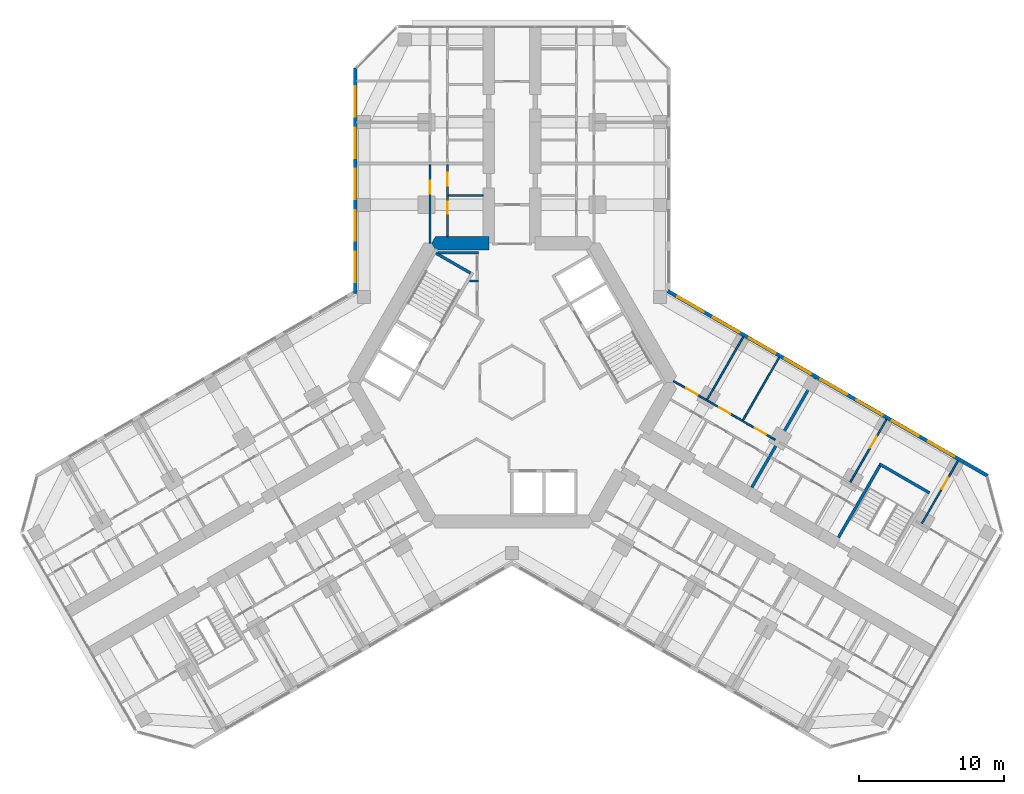
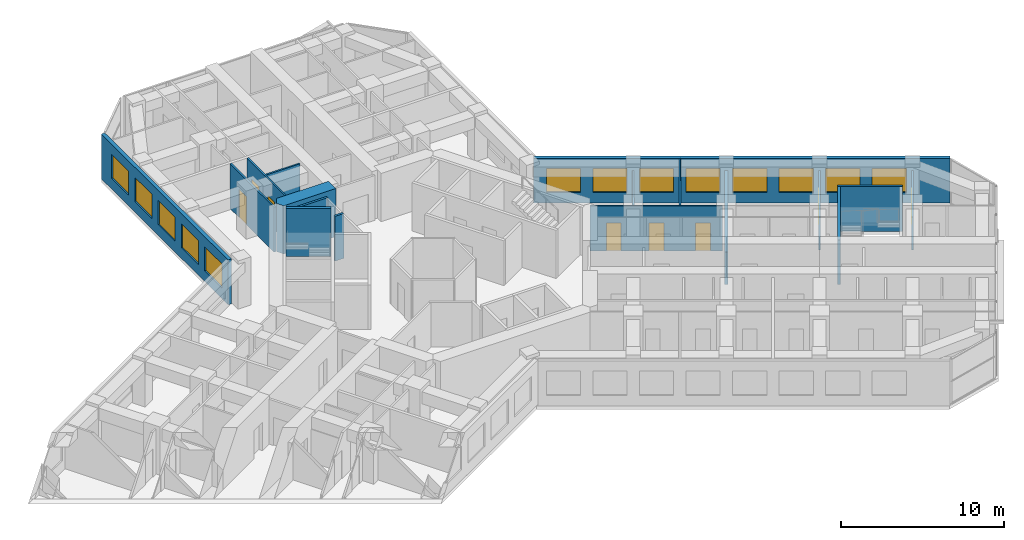
# One storey, part 16 of 19: 17 walls, 13 windows, 8 doors, 21 openings.
"""IFC4 building model written with IfcOpenShell, lengths in metres."""

from ifc_helpers import new_model, si_unit, direction, frame, frame_2d, origin, place, context, subcontext, project, spatial, polyline, rectangle, outline, extrude, material, layer, layer_set, type_object, element, fill, save


model = new_model("IFC4")

# Units and contexts
model_context = context("Model", 3, precision=1e-05, world=origin(), true_north=direction((0.0, 1.0)))
body_context = subcontext(model_context, "Body", "Model", "MODEL_VIEW")
ifc_project = project(units=[si_unit("LENGTHUNIT", "METRE"), si_unit("AREAUNIT", "SQUARE_METRE"), si_unit("VOLUMEUNIT", "CUBIC_METRE"), si_unit("PLANEANGLEUNIT", "RADIAN"), si_unit("MASSUNIT", "GRAM", prefix="KILO")], contexts=[model_context])

# Site, building, storey
site_placement = place(None, origin())
site = spatial("IfcSite", under=ifc_project, at=site_placement, CompositionType="ELEMENT")
building_placement = place(site_placement, origin())
building = spatial("IfcBuilding", under=site, at=building_placement, Name="Kosmar Iwan School Tower", CompositionType="ELEMENT")
storey_placement = place(building_placement, frame((0.0, 0.0, 172.39990234375)))
storey = spatial("IfcBuildingStorey", under=building, at=storey_placement, Name="L43", CompositionType="ELEMENT", Elevation=172.39990234375)

# Walls
ifc_material_1 = material(Name="Gypsum board on steel studs, fire-rated", Category="steel")
ifc_layer_1 = layer(ifc_material_1, 0.14990234375)
ifc_layer_set_1 = layer_set([ifc_layer_1], Name="Core room partition 150")
wall_type_1 = type_object("IfcWallType", Name="Core room partition 150", PredefinedType="PARTITIONING", material=ifc_layer_set_1)
wall_1_placement = place(storey_placement, frame((-2.324951171875, 6.985107421875, 0.0), z_axis=(0.0, 0.0, 1.0), x_axis=(-1.0, 0.0, 0.0)))
element("IfcWall", 1, at=wall_1_placement, inside=storey, type_object=wall_type_1, Name="Core room partition L43-CW2", PredefinedType="PARTITIONING", context=body_context, shape_type="SweptSolid", body=[
    extrude(rectangle(XDim=0.623779296875, YDim=0.14990234375, at=frame_2d((0.31201171875, 0.0))), origin(), (0.0, 0.0, 1.0), 3.35009765625),
])
wall_2_placement = place(storey_placement, frame((-5.089599609375, 8.93994140625, 0.0), z_axis=(0.0, 0.0, 1.0), x_axis=(1.0, 0.0, 0.0)))
element("IfcWall", 2, at=wall_2_placement, inside=storey, type_object=wall_type_1, Name="Core room partition L43-CW3", PredefinedType="PARTITIONING", context=body_context, shape_type="SweptSolid", body=[
    extrude(rectangle(XDim=2.7646484375, YDim=0.14990234375, at=frame_2d((1.38232421875, 0.0))), origin(), (0.0, 0.0, 1.0), 3.35009765625),
])
ifc_material_2 = material(Name="Concrete C50/60", Category="concrete")
ifc_layer_2 = layer(ifc_material_2, 0.89990234375)
ifc_layer_set_2 = layer_set([ifc_layer_2], Name="Core wall 900")
wall_type_2 = type_object("IfcWallType", Name="Core wall 900", PredefinedType="SHEAR", material=ifc_layer_set_2)
wall_3_placement = place(storey_placement, origin())
element("IfcWall", 3, at=wall_3_placement, inside=storey, type_object=wall_type_2, Name="Core wall F090b", PredefinedType="SHEAR", context=body_context, shape_type="SweptSolid", body=[
    extrude(outline(polyline([(-5.28271484375, 9.14990234375), (-1.60009765625, 9.14990234375), (-1.60009765625, 10.050048828125), (-5.28271484375, 10.050048828125), (-5.54248046875, 9.60009765625), (-5.28271484375, 9.14990234375)])), origin(), (0.0, 0.0, 1.0), 3.60009765625),
])

# Wall, openings, doors
ifc_material_3 = material(Name="Gypsum board on steel studs", Category="steel")
ifc_layer_3 = layer(ifc_material_3, 0.1201171875)
ifc_layer_set_3 = layer_set([ifc_layer_3], Name="Dwelling partition 120")
wall_type_3 = type_object("IfcWallType", Name="Dwelling partition 120", PredefinedType="PARTITIONING", material=ifc_layer_set_3)
wall_4_placement = place(storey_placement, frame((-4.449951171875, 10.050048828125, 0.0), z_axis=(0.0, 0.0, 1.0), x_axis=(0.0, 1.0, 0.0)))
wall_4 = element("IfcWall", 4, at=wall_4_placement, inside=storey, type_object=wall_type_3, Name="Partition L43-AL1-W1", PredefinedType="PARTITIONING", context=body_context, shape_type="SweptSolid", body=[
    extrude(rectangle(XDim=4.949951171875, YDim=0.1201171875, at=frame_2d((2.47509765625, 0.0))), origin(), (0.0, 0.0, 1.0), 3.35009765625),
])
opening_1_placement = place(wall_4_placement, frame((1.60009765625, 0.0, 0.0)))
opening_1 = element("IfcOpeningElement", 5, at=opening_1_placement, cuts=wall_4, Name="Opening D3", PredefinedType="OPENING", context=body_context, shape_type="SweptSolid", body=[
    extrude(rectangle(XDim=0.800048828125, YDim=2.10009765625, at=frame_2d((0.39990234375, 1.050048828125))), frame((0.0, 0.072021484375, 0.0), z_axis=(0.0, -1.0, 0.0), x_axis=(1.0, 0.0, 0.0)), (0.0, 0.0, 1.0), 0.14404296875),
])
opening_2_placement = place(wall_4_placement, frame((3.5, 0.0, 0.0)))
opening_2 = element("IfcOpeningElement", 6, at=opening_2_placement, cuts=wall_4, Name="Opening D2", PredefinedType="OPENING", context=body_context, shape_type="SweptSolid", body=[
    extrude(rectangle(XDim=0.89990234375, YDim=2.10009765625, at=frame_2d((0.449951171875, 1.050048828125))), frame((0.0, 0.072021484375, 0.0), z_axis=(0.0, -1.0, 0.0), x_axis=(1.0, 0.0, 0.0)), (0.0, 0.0, 1.0), 0.14404296875),
])
ifc_material_4 = material(Name="Timber door in timber frame", Category="wood")
door_type_1 = type_object("IfcDoorType", Name="Internal door 900x2100", OperationType="SINGLE_SWING_LEFT", PredefinedType="DOOR", material=ifc_material_4)
door_1_placement = place(opening_2_placement, origin())
door_1 = element("IfcDoor", 7, at=door_1_placement, inside=storey, type_object=door_type_1, Name="Entrance hall door L43-AL1-S2", OperationType="SINGLE_SWING_RIGHT", OverallHeight=2.10009765625, OverallWidth=0.89990234375, PredefinedType="DOOR", context=body_context, shape_type="SweptSolid", body=[
    extrude(rectangle(XDim=0.89990234375, YDim=2.10009765625, at=frame_2d((0.449951171875, 1.050048828125))), frame((0.0, 0.02490234375, 0.0), z_axis=(0.0, -1.0, 0.0), x_axis=(1.0, 0.0, 0.0)), (0.0, 0.0, 1.0), 0.050048828125),
])
fill(opening_2, door_1)
ifc_material_5 = material(Name="Timber door in timber frame", Category="wood")
door_type_2 = type_object("IfcDoorType", Name="Sanitary room door 800x2100", OperationType="SINGLE_SWING_LEFT", PredefinedType="DOOR", material=ifc_material_5)
door_2_placement = place(opening_1_placement, origin())
door_2 = element("IfcDoor", 8, at=door_2_placement, inside=storey, type_object=door_type_2, Name="Bathroom door L43-AL1-S1", OperationType="SINGLE_SWING_LEFT", OverallHeight=2.10009765625, OverallWidth=0.800048828125, PredefinedType="DOOR", context=body_context, shape_type="SweptSolid", body=[
    extrude(rectangle(XDim=0.800048828125, YDim=2.10009765625, at=frame_2d((0.39990234375, 1.050048828125))), frame((0.0, 0.02490234375, 0.0), z_axis=(0.0, -1.0, 0.0), x_axis=(1.0, 0.0, 0.0)), (0.0, 0.0, 1.0), 0.050048828125),
])
fill(opening_1, door_2)

# Wall, opening, door
wall_5_placement = place(storey_placement, frame((-5.64990234375, 9.60009765625, 0.0), z_axis=(0.0, 0.0, 1.0), x_axis=(0.0, 1.0, 0.0)))
wall_5 = element("IfcWall", 9, at=wall_5_placement, inside=storey, type_object=wall_type_3, Name="Partition L43-AL1-W2", PredefinedType="PARTITIONING", context=body_context, shape_type="SweptSolid", body=[
    extrude(rectangle(XDim=5.39990234375, YDim=0.1201171875, at=frame_2d((2.699951171875, 0.0))), origin(), (0.0, 0.0, 1.0), 3.35009765625),
])
opening_3_placement = place(wall_5_placement, frame((3.39990234375, 0.0, 0.0)))
opening_3 = element("IfcOpeningElement", 10, at=opening_3_placement, cuts=wall_5, Name="Opening D2", PredefinedType="OPENING", context=body_context, shape_type="SweptSolid", body=[
    extrude(rectangle(XDim=0.89990234375, YDim=2.10009765625, at=frame_2d((0.449951171875, 1.050048828125))), frame((0.0, 0.072021484375, 0.0), z_axis=(0.0, -1.0, 0.0), x_axis=(1.0, 0.0, 0.0)), (0.0, 0.0, 1.0), 0.14404296875),
])
door_3_placement = place(opening_3_placement, origin())
door_3 = element("IfcDoor", 11, at=door_3_placement, inside=storey, type_object=door_type_1, Name="Studio living room and kitchen door L43-AL1-F1", OperationType="SINGLE_SWING_RIGHT", OverallHeight=2.10009765625, OverallWidth=0.89990234375, PredefinedType="DOOR", context=body_context, shape_type="SweptSolid", body=[
    extrude(rectangle(XDim=0.89990234375, YDim=2.10009765625, at=frame_2d((0.449951171875, 1.050048828125))), frame((0.0, 0.02490234375, 0.0), z_axis=(0.0, -1.0, 0.0), x_axis=(1.0, 0.0, 0.0)), (0.0, 0.0, 1.0), 0.050048828125),
])
fill(opening_3, door_3)

# Wall
wall_6_placement = place(storey_placement, frame((-2.0, 12.89990234375, 0.0), z_axis=(0.0, 0.0, 1.0), x_axis=(-1.0, 0.0, 0.0)))
element("IfcWall", 12, at=wall_6_placement, inside=storey, type_object=wall_type_3, Name="Partition L43-AL1-Y1", PredefinedType="PARTITIONING", context=body_context, shape_type="SweptSolid", body=[
    extrude(rectangle(XDim=2.389892578125, YDim=0.1201171875, at=frame_2d((1.19482421875, 0.0))), origin(), (0.0, 0.0, 1.0), 3.35009765625),
])

# Wall, openings, doors
wall_7_placement = place(storey_placement, frame((11.138916015625, 0.093017578125, 0.0), z_axis=(0.0, 0.0, 1.0), x_axis=(0.866017937352, -0.500012932018, 0.0)))
wall_7 = element("IfcWall", 13, at=wall_7_placement, inside=storey, type_object=wall_type_3, Name="Partition L43-CL1-W2", PredefinedType="PARTITIONING", context=body_context, shape_type="SweptSolid", body=[
    extrude(rectangle(XDim=8.099853515625, YDim=0.1201171875, at=frame_2d((4.0498046875, 0.0))), origin(), (0.0, 0.0, 1.0), 3.35009765625),
])
opening_4_placement = place(wall_7_placement, frame((1.0, 0.0, 0.0)))
opening_4 = element("IfcOpeningElement", 14, at=opening_4_placement, cuts=wall_7, Name="Opening D2", PredefinedType="OPENING", context=body_context, shape_type="SweptSolid", body=[
    extrude(rectangle(XDim=0.89990234375, YDim=2.10009765625, at=frame_2d((0.449951171875, 1.050048828125))), frame((0.0, 0.072021484375, 0.0), z_axis=(0.0, -1.0, 0.0), x_axis=(1.0, 0.0, 0.0)), (0.0, 0.0, 1.0), 0.14404296875),
])
opening_5_placement = place(wall_7_placement, frame((3.625, 0.0, 0.0)))
opening_5 = element("IfcOpeningElement", 15, at=opening_5_placement, cuts=wall_7, Name="Opening D2", PredefinedType="OPENING", context=body_context, shape_type="SweptSolid", body=[
    extrude(rectangle(XDim=0.89990234375, YDim=2.10009765625, at=frame_2d((0.449951171875, 1.050048828125))), frame((0.0, 0.072021484375, 0.0), z_axis=(0.0, -1.0, 0.0), x_axis=(1.0, 0.0, 0.0)), (0.0, 0.0, 1.0), 0.14404296875),
])
opening_6_placement = place(wall_7_placement, frame((6.47509765625, 0.0, 0.0)))
opening_6 = element("IfcOpeningElement", 16, at=opening_6_placement, cuts=wall_7, Name="Opening D2", PredefinedType="OPENING", context=body_context, shape_type="SweptSolid", body=[
    extrude(rectangle(XDim=0.89990234375, YDim=2.10009765625, at=frame_2d((0.449951171875, 1.050048828125))), frame((0.0, 0.072021484375, 0.0), z_axis=(0.0, -1.0, 0.0), x_axis=(1.0, 0.0, 0.0)), (0.0, 0.0, 1.0), 0.14404296875),
])
door_4_placement = place(opening_4_placement, origin())
door_4 = element("IfcDoor", 17, at=door_4_placement, inside=storey, type_object=door_type_1, Name="Family room and kitchen door L43-CL1-F1", OperationType="SINGLE_SWING_LEFT", OverallHeight=2.10009765625, OverallWidth=0.89990234375, PredefinedType="DOOR", context=body_context, shape_type="SweptSolid", body=[
    extrude(rectangle(XDim=0.89990234375, YDim=2.10009765625, at=frame_2d((0.449951171875, 1.050048828125))), frame((0.0, 0.02490234375, 0.0), z_axis=(0.0, -1.0, 0.0), x_axis=(1.0, 0.0, 0.0)), (0.0, 0.0, 1.0), 0.050048828125),
])
fill(opening_4, door_4)
door_5_placement = place(opening_5_placement, origin())
door_5 = element("IfcDoor", 18, at=door_5_placement, inside=storey, type_object=door_type_1, Name="Study door L43-CL1-F2", OperationType="SINGLE_SWING_RIGHT", OverallHeight=2.10009765625, OverallWidth=0.89990234375, PredefinedType="DOOR", context=body_context, shape_type="SweptSolid", body=[
    extrude(rectangle(XDim=0.89990234375, YDim=2.10009765625, at=frame_2d((0.449951171875, 1.050048828125))), frame((0.0, 0.02490234375, 0.0), z_axis=(0.0, -1.0, 0.0), x_axis=(1.0, 0.0, 0.0)), (0.0, 0.0, 1.0), 0.050048828125),
])
fill(opening_5, door_5)
door_6_placement = place(opening_6_placement, origin())
door_6 = element("IfcDoor", 19, at=door_6_placement, inside=storey, type_object=door_type_1, Name="Bedroom 1 door L43-CL1-F3", OperationType="SINGLE_SWING_RIGHT", OverallHeight=2.10009765625, OverallWidth=0.89990234375, PredefinedType="DOOR", context=body_context, shape_type="SweptSolid", body=[
    extrude(rectangle(XDim=0.89990234375, YDim=2.10009765625, at=frame_2d((0.449951171875, 1.050048828125))), frame((0.0, 0.02490234375, 0.0), z_axis=(0.0, -1.0, 0.0), x_axis=(1.0, 0.0, 0.0)), (0.0, 0.0, 1.0), 0.050048828125),
])
fill(opening_6, door_6)

# Walls
wall_8_placement = place(storey_placement, frame((13.4638671875, -1.179931640625, 0.0), z_axis=(0.0, 0.0, 1.0), x_axis=(0.499975153383, 0.86603974851, 0.0)))
element("IfcWall", 20, at=wall_8_placement, inside=storey, type_object=wall_type_3, Name="Partition L43-CL1-X1", PredefinedType="PARTITIONING", context=body_context, shape_type="SweptSolid", body=[
    extrude(rectangle(XDim=4.989990234375, YDim=0.1201171875, at=frame_2d((2.4951171875, 0.0))), origin(), (0.0, 0.0, 1.0), 2.4501953125),
])
wall_9_placement = place(storey_placement, frame((15.931884765625, -2.60498046875, 0.0), z_axis=(0.0, 0.0, 1.0), x_axis=(0.500011847778, 0.866018563358, 0.0)))
element("IfcWall", 21, at=wall_9_placement, inside=storey, type_object=wall_type_3, Name="Partition L43-CL1-X2", PredefinedType="PARTITIONING", context=body_context, shape_type="SweptSolid", body=[
    extrude(rectangle(XDim=4.990234375, YDim=0.1201171875, at=frame_2d((2.4951171875, 0.0))), origin(), (0.0, 0.0, 1.0), 3.35009765625),
])

# Wall, opening, door
wall_10_placement = place(storey_placement, frame((23.33642578125, -6.8798828125, 0.0), z_axis=(0.0, 0.0, 1.0), x_axis=(0.500033033937, 0.866006330792, 0.0)))
wall_10 = element("IfcWall", 22, at=wall_10_placement, inside=storey, type_object=wall_type_3, Name="Partition L43-CL2-TB", PredefinedType="PARTITIONING", context=body_context, shape_type="SweptSolid", body=[
    extrude(rectangle(XDim=4.989990234375, YDim=0.1201171875, at=frame_2d((2.4951171875, 0.0))), origin(), (0.0, 0.0, 1.0), 2.4501953125),
])
opening_7_placement = place(wall_10_placement, frame((2.739990234375, 0.0, 0.0)))
opening_7 = element("IfcOpeningElement", 23, at=opening_7_placement, cuts=wall_10, Name="Opening D2", PredefinedType="OPENING", context=body_context, shape_type="SweptSolid", body=[
    extrude(rectangle(XDim=0.89990234375, YDim=2.10009765625, at=frame_2d((0.449951171875, 1.050048828125))), frame((0.0, 0.072021484375, 0.0), z_axis=(0.0, -1.0, 0.0), x_axis=(1.0, 0.0, 0.0)), (0.0, 0.0, 1.0), 0.14404296875),
])
door_7_placement = place(opening_7_placement, origin())
door_7 = element("IfcDoor", 24, at=door_7_placement, inside=storey, type_object=door_type_1, Name="Study door L43-CL2-F1", OperationType="SINGLE_SWING_RIGHT", OverallHeight=2.10009765625, OverallWidth=0.89990234375, PredefinedType="DOOR", context=body_context, shape_type="SweptSolid", body=[
    extrude(rectangle(XDim=0.89990234375, YDim=2.10009765625, at=frame_2d((0.449951171875, 1.050048828125))), frame((0.0, 0.02490234375, 0.0), z_axis=(0.0, -1.0, 0.0), x_axis=(1.0, 0.0, 0.0)), (0.0, 0.0, 1.0), 0.050048828125),
])
fill(opening_7, door_7)

wall_11_placement = place(storey_placement, frame((28.27294921875, -9.72998046875, 0.0), z_axis=(0.0, 0.0, 1.0), x_axis=(0.499975153383, 0.86603974851, 0.0)))
wall_11 = element("IfcWall", 25, at=wall_11_placement, inside=storey, type_object=wall_type_3, Name="Partition L43-CL2-TX", PredefinedType="PARTITIONING", context=body_context, shape_type="SweptSolid", body=[
    extrude(rectangle(XDim=4.989990234375, YDim=0.1201171875, at=frame_2d((2.4951171875, 0.0))), origin(), (0.0, 0.0, 1.0), 2.4501953125),
])
opening_8_placement = place(wall_11_placement, frame((2.739990234375, 0.0, 0.0)))
opening_8 = element("IfcOpeningElement", 26, at=opening_8_placement, cuts=wall_11, Name="Opening D2", PredefinedType="OPENING", context=body_context, shape_type="SweptSolid", body=[
    extrude(rectangle(XDim=0.89990234375, YDim=2.10009765625, at=frame_2d((0.449951171875, 1.050048828125))), frame((0.0, 0.072021484375, 0.0), z_axis=(0.0, -1.0, 0.0), x_axis=(1.0, 0.0, 0.0)), (0.0, 0.0, 1.0), 0.14404296875),
])
door_8_placement = place(opening_8_placement, origin())
door_8 = element("IfcDoor", 27, at=door_8_placement, inside=storey, type_object=door_type_1, Name="Study door L43-CL2-T1", OperationType="SINGLE_SWING_RIGHT", OverallHeight=2.10009765625, OverallWidth=0.89990234375, PredefinedType="DOOR", context=body_context, shape_type="SweptSolid", body=[
    extrude(rectangle(XDim=0.89990234375, YDim=2.10009765625, at=frame_2d((0.449951171875, 1.050048828125))), frame((0.0, 0.02490234375, 0.0), z_axis=(0.0, -1.0, 0.0), x_axis=(1.0, 0.0, 0.0)), (0.0, 0.0, 1.0), 0.050048828125),
])
fill(opening_8, door_8)

# Walls
ifc_material_6 = material(Name="Concrete C35/45", Category="concrete")
ifc_layer_4 = layer(ifc_material_6, 0.199951171875)
ifc_layer_set_4 = layer_set([ifc_layer_4], Name="Escape stair wall 200")
wall_type_4 = type_object("IfcWallType", Name="Escape stair wall 200", PredefinedType="SHEAR", material=ifc_layer_set_4)
wall_12_placement = place(storey_placement, frame((22.520751953125, -10.69287109375, 0.0), z_axis=(0.0, 0.0, 1.0), x_axis=(0.500006628179, 0.86602157697, 0.0)))
element("IfcWall", 28, at=wall_12_placement, inside=storey, type_object=wall_type_4, Name="Stair WS3 wall", PredefinedType="SHEAR", context=body_context, shape_type="SweptSolid", body=[
    extrude(rectangle(XDim=5.89990234375, YDim=0.199951171875, at=frame_2d((2.949951171875, 0.0))), origin(), (0.0, 0.0, 1.0), 3.330078125),
])
wall_13_placement = place(storey_placement, frame((25.334228515625, -5.6201171875, 0.0), z_axis=(0.0, 0.0, 1.0), x_axis=(0.866026010844, -0.49999894854, 0.0)))
element("IfcWall", 29, at=wall_13_placement, inside=storey, type_object=wall_type_4, Name="Stair WS3 wall", PredefinedType="SHEAR", context=body_context, shape_type="SweptSolid", body=[
    extrude(rectangle(XDim=4.0, YDim=0.199951171875, at=frame_2d((2.0, 0.0))), origin(), (0.0, 0.0, 1.0), 3.330078125),
])

# Wall, openings, windows
ifc_material_7 = material(Name="Black aluminium rainscreen on insulated framing", Category="aluminium")
ifc_layer_5 = layer(ifc_material_7, 0.25)
ifc_layer_set_5 = layer_set([ifc_layer_5], Name="External wall rainscreen 250")
wall_type_5 = type_object("IfcWallType", Name="External wall rainscreen 250", PredefinedType="SOLIDWALL", material=ifc_layer_set_5)
wall_14_placement = place(storey_placement, frame((10.73681640625, 6.30078125, 0.0), z_axis=(0.0, 0.0, 1.0), x_axis=(0.866026390279, -0.499998291337, 0.0)))
wall_14 = element("IfcWall", 30, at=wall_14_placement, inside=storey, type_object=wall_type_5, Name="External wall CL L43", PredefinedType="SOLIDWALL", context=body_context, shape_type="SweptSolid", body=[
    extrude(rectangle(XDim=25.4873046875, YDim=0.25, at=frame_2d((12.74365234375, 0.0))), origin(), (0.0, 0.0, 1.0), 3.35009765625),
])
opening_9_placement = place(wall_14_placement, frame((0.777099609375, 0.0, 0.800048828125)))
opening_9 = element("IfcOpeningElement", 31, at=opening_9_placement, cuts=wall_14, Name="Opening W4", PredefinedType="OPENING", context=body_context, shape_type="SweptSolid", body=[
    extrude(rectangle(XDim=2.10009765625, YDim=1.800048828125, at=frame_2d((1.050048828125, 0.89990234375))), frame((0.0, 0.136962890625, 0.0), z_axis=(0.0, -1.0, 0.0), x_axis=(1.0, 0.0, 0.0)), (0.0, 0.0, 1.0), 0.27392578125),
])
opening_10_placement = place(wall_14_placement, frame((3.626953125, 0.0, 0.800048828125)))
opening_10 = element("IfcOpeningElement", 32, at=opening_10_placement, cuts=wall_14, Name="Opening W4", PredefinedType="OPENING", context=body_context, shape_type="SweptSolid", body=[
    extrude(rectangle(XDim=2.10009765625, YDim=1.800048828125, at=frame_2d((1.050048828125, 0.89990234375))), frame((0.0, 0.136962890625, 0.0), z_axis=(0.0, -1.0, 0.0), x_axis=(1.0, 0.0, 0.0)), (0.0, 0.0, 1.0), 0.27392578125),
])
opening_11_placement = place(wall_14_placement, frame((6.47705078125, 0.0, 0.800048828125)))
opening_11 = element("IfcOpeningElement", 33, at=opening_11_placement, cuts=wall_14, Name="Opening W4", PredefinedType="OPENING", context=body_context, shape_type="SweptSolid", body=[
    extrude(rectangle(XDim=2.10009765625, YDim=1.800048828125, at=frame_2d((1.050048828125, 0.89990234375))), frame((0.0, 0.136962890625, 0.0), z_axis=(0.0, -1.0, 0.0), x_axis=(1.0, 0.0, 0.0)), (0.0, 0.0, 1.0), 0.27392578125),
])
opening_12_placement = place(wall_14_placement, frame((9.326904296875, 0.0, 0.800048828125)))
opening_12 = element("IfcOpeningElement", 34, at=opening_12_placement, cuts=wall_14, Name="Opening W4", PredefinedType="OPENING", context=body_context, shape_type="SweptSolid", body=[
    extrude(rectangle(XDim=2.10009765625, YDim=1.800048828125, at=frame_2d((1.050048828125, 0.89990234375))), frame((0.0, 0.136962890625, 0.0), z_axis=(0.0, -1.0, 0.0), x_axis=(1.0, 0.0, 0.0)), (0.0, 0.0, 1.0), 0.27392578125),
])
opening_13_placement = place(wall_14_placement, frame((12.177001953125, 0.0, 0.800048828125)))
opening_13 = element("IfcOpeningElement", 35, at=opening_13_placement, cuts=wall_14, Name="Opening W4", PredefinedType="OPENING", context=body_context, shape_type="SweptSolid", body=[
    extrude(rectangle(XDim=2.10009765625, YDim=1.800048828125, at=frame_2d((1.050048828125, 0.89990234375))), frame((0.0, 0.136962890625, 0.0), z_axis=(0.0, -1.0, 0.0), x_axis=(1.0, 0.0, 0.0)), (0.0, 0.0, 1.0), 0.27392578125),
])
opening_14_placement = place(wall_14_placement, frame((15.027099609375, 0.0, 0.800048828125)))
opening_14 = element("IfcOpeningElement", 36, at=opening_14_placement, cuts=wall_14, Name="Opening W4", PredefinedType="OPENING", context=body_context, shape_type="SweptSolid", body=[
    extrude(rectangle(XDim=2.10009765625, YDim=1.800048828125, at=frame_2d((1.050048828125, 0.89990234375))), frame((0.0, 0.136962890625, 0.0), z_axis=(0.0, -1.0, 0.0), x_axis=(1.0, 0.0, 0.0)), (0.0, 0.0, 1.0), 0.27392578125),
])
opening_15_placement = place(wall_14_placement, frame((17.876953125, 0.0, 0.800048828125)))
opening_15 = element("IfcOpeningElement", 37, at=opening_15_placement, cuts=wall_14, Name="Opening W4", PredefinedType="OPENING", context=body_context, shape_type="SweptSolid", body=[
    extrude(rectangle(XDim=2.10009765625, YDim=1.800048828125, at=frame_2d((1.050048828125, 0.89990234375))), frame((0.0, 0.136962890625, 0.0), z_axis=(0.0, -1.0, 0.0), x_axis=(1.0, 0.0, 0.0)), (0.0, 0.0, 1.0), 0.27392578125),
])
opening_16_placement = place(wall_14_placement, frame((20.72705078125, 0.0, 0.800048828125)))
opening_16 = element("IfcOpeningElement", 38, at=opening_16_placement, cuts=wall_14, Name="Opening W4", PredefinedType="OPENING", context=body_context, shape_type="SweptSolid", body=[
    extrude(rectangle(XDim=2.10009765625, YDim=1.800048828125, at=frame_2d((1.050048828125, 0.89990234375))), frame((0.0, 0.136962890625, 0.0), z_axis=(0.0, -1.0, 0.0), x_axis=(1.0, 0.0, 0.0)), (0.0, 0.0, 1.0), 0.27392578125),
])
ifc_material_8 = material(Name="Black aluminium frame with dark triple glazing", Category="aluminium")
window_type = type_object("IfcWindowType", Name="Window 2100x1800", PartitioningType="SINGLE_PANEL", PredefinedType="WINDOW", material=ifc_material_8)
window_1_placement = place(opening_9_placement, origin())
window_1 = element("IfcWindow", 39, at=window_1_placement, inside=storey, type_object=window_type, Name="Window CL L43 -1", OverallHeight=1.800048828125, OverallWidth=2.10009765625, PartitioningType="SINGLE_PANEL", PredefinedType="WINDOW", context=body_context, shape_type="SweptSolid", body=[
    extrude(rectangle(XDim=2.10009765625, YDim=1.800048828125, at=frame_2d((1.050048828125, 0.89990234375))), frame((0.0, 0.030029296875, 0.0), z_axis=(0.0, -1.0, 0.0), x_axis=(1.0, 0.0, 0.0)), (0.0, 0.0, 1.0), 0.06005859375),
])
fill(opening_9, window_1)
window_2_placement = place(opening_10_placement, origin())
window_2 = element("IfcWindow", 40, at=window_2_placement, inside=storey, type_object=window_type, Name="Window CL L43 0", OverallHeight=1.800048828125, OverallWidth=2.10009765625, PartitioningType="SINGLE_PANEL", PredefinedType="WINDOW", context=body_context, shape_type="SweptSolid", body=[
    extrude(rectangle(XDim=2.10009765625, YDim=1.800048828125, at=frame_2d((1.050048828125, 0.89990234375))), frame((0.0, 0.030029296875, 0.0), z_axis=(0.0, -1.0, 0.0), x_axis=(1.0, 0.0, 0.0)), (0.0, 0.0, 1.0), 0.06005859375),
])
fill(opening_10, window_2)
window_3_placement = place(opening_11_placement, origin())
window_3 = element("IfcWindow", 41, at=window_3_placement, inside=storey, type_object=window_type, Name="Window CL L43 1", OverallHeight=1.800048828125, OverallWidth=2.10009765625, PartitioningType="SINGLE_PANEL", PredefinedType="WINDOW", context=body_context, shape_type="SweptSolid", body=[
    extrude(rectangle(XDim=2.10009765625, YDim=1.800048828125, at=frame_2d((1.050048828125, 0.89990234375))), frame((0.0, 0.030029296875, 0.0), z_axis=(0.0, -1.0, 0.0), x_axis=(1.0, 0.0, 0.0)), (0.0, 0.0, 1.0), 0.06005859375),
])
fill(opening_11, window_3)
window_4_placement = place(opening_12_placement, origin())
window_4 = element("IfcWindow", 42, at=window_4_placement, inside=storey, type_object=window_type, Name="Window CL L43 2", OverallHeight=1.800048828125, OverallWidth=2.10009765625, PartitioningType="SINGLE_PANEL", PredefinedType="WINDOW", context=body_context, shape_type="SweptSolid", body=[
    extrude(rectangle(XDim=2.10009765625, YDim=1.800048828125, at=frame_2d((1.050048828125, 0.89990234375))), frame((0.0, 0.030029296875, 0.0), z_axis=(0.0, -1.0, 0.0), x_axis=(1.0, 0.0, 0.0)), (0.0, 0.0, 1.0), 0.06005859375),
])
fill(opening_12, window_4)
window_5_placement = place(opening_13_placement, origin())
window_5 = element("IfcWindow", 43, at=window_5_placement, inside=storey, type_object=window_type, Name="Window CL L43 3", OverallHeight=1.800048828125, OverallWidth=2.10009765625, PartitioningType="SINGLE_PANEL", PredefinedType="WINDOW", context=body_context, shape_type="SweptSolid", body=[
    extrude(rectangle(XDim=2.10009765625, YDim=1.800048828125, at=frame_2d((1.050048828125, 0.89990234375))), frame((0.0, 0.030029296875, 0.0), z_axis=(0.0, -1.0, 0.0), x_axis=(1.0, 0.0, 0.0)), (0.0, 0.0, 1.0), 0.06005859375),
])
fill(opening_13, window_5)
window_6_placement = place(opening_14_placement, origin())
window_6 = element("IfcWindow", 44, at=window_6_placement, inside=storey, type_object=window_type, Name="Window CL L43 4", OverallHeight=1.800048828125, OverallWidth=2.10009765625, PartitioningType="SINGLE_PANEL", PredefinedType="WINDOW", context=body_context, shape_type="SweptSolid", body=[
    extrude(rectangle(XDim=2.10009765625, YDim=1.800048828125, at=frame_2d((1.050048828125, 0.89990234375))), frame((0.0, 0.030029296875, 0.0), z_axis=(0.0, -1.0, 0.0), x_axis=(1.0, 0.0, 0.0)), (0.0, 0.0, 1.0), 0.06005859375),
])
fill(opening_14, window_6)
window_7_placement = place(opening_15_placement, origin())
window_7 = element("IfcWindow", 45, at=window_7_placement, inside=storey, type_object=window_type, Name="Window CL L43 5", OverallHeight=1.800048828125, OverallWidth=2.10009765625, PartitioningType="SINGLE_PANEL", PredefinedType="WINDOW", context=body_context, shape_type="SweptSolid", body=[
    extrude(rectangle(XDim=2.10009765625, YDim=1.800048828125, at=frame_2d((1.050048828125, 0.89990234375))), frame((0.0, 0.030029296875, 0.0), z_axis=(0.0, -1.0, 0.0), x_axis=(1.0, 0.0, 0.0)), (0.0, 0.0, 1.0), 0.06005859375),
])
fill(opening_15, window_7)
window_8_placement = place(opening_16_placement, origin())
window_8 = element("IfcWindow", 46, at=window_8_placement, inside=storey, type_object=window_type, Name="Window CL L43 6", OverallHeight=1.800048828125, OverallWidth=2.10009765625, PartitioningType="SINGLE_PANEL", PredefinedType="WINDOW", context=body_context, shape_type="SweptSolid", body=[
    extrude(rectangle(XDim=2.10009765625, YDim=1.800048828125, at=frame_2d((1.050048828125, 0.89990234375))), frame((0.0, 0.030029296875, 0.0), z_axis=(0.0, -1.0, 0.0), x_axis=(1.0, 0.0, 0.0)), (0.0, 0.0, 1.0), 0.06005859375),
])
fill(opening_16, window_8)

wall_15_placement = place(storey_placement, frame((-10.824951171875, 6.14794921875, 0.0), z_axis=(0.0, 0.0, 1.0), x_axis=(0.0, 1.0, 0.0)))
wall_15 = element("IfcWall", 47, at=wall_15_placement, inside=storey, type_object=wall_type_5, Name="External wall AL L43", PredefinedType="SOLIDWALL", context=body_context, shape_type="SweptSolid", body=[
    extrude(rectangle(XDim=15.537353515625, YDim=0.25, at=frame_2d((7.7685546875, 0.0))), origin(), (0.0, 0.0, 1.0), 3.35009765625),
])
opening_17_placement = place(wall_15_placement, frame((0.777099609375, 0.0, 0.800048828125)))
opening_17 = element("IfcOpeningElement", 48, at=opening_17_placement, cuts=wall_15, Name="Opening W4", PredefinedType="OPENING", context=body_context, shape_type="SweptSolid", body=[
    extrude(rectangle(XDim=2.10009765625, YDim=1.800048828125, at=frame_2d((1.050048828125, 0.89990234375))), frame((0.0, 0.136962890625, 0.0), z_axis=(0.0, -1.0, 0.0), x_axis=(1.0, 0.0, 0.0)), (0.0, 0.0, 1.0), 0.27392578125),
])
opening_18_placement = place(wall_15_placement, frame((3.626953125, 0.0, 0.800048828125)))
opening_18 = element("IfcOpeningElement", 49, at=opening_18_placement, cuts=wall_15, Name="Opening W4", PredefinedType="OPENING", context=body_context, shape_type="SweptSolid", body=[
    extrude(rectangle(XDim=2.10009765625, YDim=1.800048828125, at=frame_2d((1.050048828125, 0.89990234375))), frame((0.0, 0.136962890625, 0.0), z_axis=(0.0, -1.0, 0.0), x_axis=(1.0, 0.0, 0.0)), (0.0, 0.0, 1.0), 0.27392578125),
])
opening_19_placement = place(wall_15_placement, frame((6.47705078125, 0.0, 0.800048828125)))
opening_19 = element("IfcOpeningElement", 50, at=opening_19_placement, cuts=wall_15, Name="Opening W4", PredefinedType="OPENING", context=body_context, shape_type="SweptSolid", body=[
    extrude(rectangle(XDim=2.10009765625, YDim=1.800048828125, at=frame_2d((1.050048828125, 0.89990234375))), frame((0.0, 0.136962890625, 0.0), z_axis=(0.0, -1.0, 0.0), x_axis=(1.0, 0.0, 0.0)), (0.0, 0.0, 1.0), 0.27392578125),
])
opening_20_placement = place(wall_15_placement, frame((9.326904296875, 0.0, 0.800048828125)))
opening_20 = element("IfcOpeningElement", 51, at=opening_20_placement, cuts=wall_15, Name="Opening W4", PredefinedType="OPENING", context=body_context, shape_type="SweptSolid", body=[
    extrude(rectangle(XDim=2.10009765625, YDim=1.800048828125, at=frame_2d((1.050048828125, 0.89990234375))), frame((0.0, 0.136962890625, 0.0), z_axis=(0.0, -1.0, 0.0), x_axis=(1.0, 0.0, 0.0)), (0.0, 0.0, 1.0), 0.27392578125),
])
opening_21_placement = place(wall_15_placement, frame((12.177001953125, 0.0, 0.800048828125)))
opening_21 = element("IfcOpeningElement", 52, at=opening_21_placement, cuts=wall_15, Name="Opening W4", PredefinedType="OPENING", context=body_context, shape_type="SweptSolid", body=[
    extrude(rectangle(XDim=2.10009765625, YDim=1.800048828125, at=frame_2d((1.050048828125, 0.89990234375))), frame((0.0, 0.136962890625, 0.0), z_axis=(0.0, -1.0, 0.0), x_axis=(1.0, 0.0, 0.0)), (0.0, 0.0, 1.0), 0.27392578125),
])
window_9_placement = place(opening_17_placement, origin())
window_9 = element("IfcWindow", 53, at=window_9_placement, inside=storey, type_object=window_type, Name="Window AL L43 -1", OverallHeight=1.800048828125, OverallWidth=2.10009765625, PartitioningType="SINGLE_PANEL", PredefinedType="WINDOW", context=body_context, shape_type="SweptSolid", body=[
    extrude(rectangle(XDim=2.10009765625, YDim=1.800048828125, at=frame_2d((1.050048828125, 0.89990234375))), frame((0.0, 0.030029296875, 0.0), z_axis=(0.0, -1.0, 0.0), x_axis=(1.0, 0.0, 0.0)), (0.0, 0.0, 1.0), 0.06005859375),
])
fill(opening_17, window_9)
window_10_placement = place(opening_18_placement, origin())
window_10 = element("IfcWindow", 54, at=window_10_placement, inside=storey, type_object=window_type, Name="Window AL L43 0", OverallHeight=1.800048828125, OverallWidth=2.10009765625, PartitioningType="SINGLE_PANEL", PredefinedType="WINDOW", context=body_context, shape_type="SweptSolid", body=[
    extrude(rectangle(XDim=2.10009765625, YDim=1.800048828125, at=frame_2d((1.050048828125, 0.89990234375))), frame((0.0, 0.030029296875, 0.0), z_axis=(0.0, -1.0, 0.0), x_axis=(1.0, 0.0, 0.0)), (0.0, 0.0, 1.0), 0.06005859375),
])
fill(opening_18, window_10)
window_11_placement = place(opening_19_placement, origin())
window_11 = element("IfcWindow", 55, at=window_11_placement, inside=storey, type_object=window_type, Name="Window AL L43 1", OverallHeight=1.800048828125, OverallWidth=2.10009765625, PartitioningType="SINGLE_PANEL", PredefinedType="WINDOW", context=body_context, shape_type="SweptSolid", body=[
    extrude(rectangle(XDim=2.10009765625, YDim=1.800048828125, at=frame_2d((1.050048828125, 0.89990234375))), frame((0.0, 0.030029296875, 0.0), z_axis=(0.0, -1.0, 0.0), x_axis=(1.0, 0.0, 0.0)), (0.0, 0.0, 1.0), 0.06005859375),
])
fill(opening_19, window_11)
window_12_placement = place(opening_20_placement, origin())
window_12 = element("IfcWindow", 56, at=window_12_placement, inside=storey, type_object=window_type, Name="Window AL L43 2", OverallHeight=1.800048828125, OverallWidth=2.10009765625, PartitioningType="SINGLE_PANEL", PredefinedType="WINDOW", context=body_context, shape_type="SweptSolid", body=[
    extrude(rectangle(XDim=2.10009765625, YDim=1.800048828125, at=frame_2d((1.050048828125, 0.89990234375))), frame((0.0, 0.030029296875, 0.0), z_axis=(0.0, -1.0, 0.0), x_axis=(1.0, 0.0, 0.0)), (0.0, 0.0, 1.0), 0.06005859375),
])
fill(opening_20, window_12)
window_13_placement = place(opening_21_placement, origin())
window_13 = element("IfcWindow", 57, at=window_13_placement, inside=storey, type_object=window_type, Name="Window AL L43 3", OverallHeight=1.800048828125, OverallWidth=2.10009765625, PartitioningType="SINGLE_PANEL", PredefinedType="WINDOW", context=body_context, shape_type="SweptSolid", body=[
    extrude(rectangle(XDim=2.10009765625, YDim=1.800048828125, at=frame_2d((1.050048828125, 0.89990234375))), frame((0.0, 0.030029296875, 0.0), z_axis=(0.0, -1.0, 0.0), x_axis=(1.0, 0.0, 0.0)), (0.0, 0.0, 1.0), 0.06005859375),
])
fill(opening_21, window_13)

# Walls
ifc_material_9 = material(Name="Concrete block masonry", Category="masonry")
ifc_layer_6 = layer(ifc_material_9, 0.199951171875)
ifc_layer_set_6 = layer_set([ifc_layer_6], Name="Party wall 200")
wall_type_6 = type_object("IfcWallType", Name="Party wall 200", PredefinedType="PARTITIONING", material=ifc_layer_set_6)
wall_16_placement = place(storey_placement, frame((16.545166015625, -7.242919921875, 0.0), z_axis=(0.0, 0.0, 1.0), x_axis=(0.500008278454, 0.866020624164, 0.0)))
element("IfcWall", 58, at=wall_16_placement, inside=storey, type_object=wall_type_6, Name="Partition L43-CL2-PW", PredefinedType="PARTITIONING", context=body_context, shape_type="SweptSolid", body=[
    extrude(rectangle(XDim=8.699951171875, YDim=0.199951171875, at=frame_2d((4.35009765625, 0.0))), origin(), (0.0, 0.0, 1.0), 2.4501953125),
])
ifc_material_10 = material(Name="Concrete C50/60", Category="concrete")
ifc_layer_7 = layer(ifc_material_10, 0.199951171875)
ifc_layer_set_7 = layer_set([ifc_layer_7], Name="Stair enclosure wall 200")
wall_type_7 = type_object("IfcWallType", Name="Stair enclosure wall 200", PredefinedType="SHEAR", material=ifc_layer_set_7)
wall_17_placement = place(storey_placement, frame((-2.862548828125, 7.541748046875, 0.0), z_axis=(0.0, 0.0, 1.0), x_axis=(-0.866027397988, 0.499996545922, 0.0)))
element("IfcWall", 59, at=wall_17_placement, inside=storey, type_object=wall_type_7, Name="Stair ST2 wall", PredefinedType="SHEAR", context=body_context, shape_type="SweptSolid", body=[
    extrude(rectangle(XDim=2.75, YDim=0.199951171875, at=frame_2d((1.375, 0.0))), origin(), (0.0, 0.0, 1.0), 3.60009765625),
])

save(model, "model.ifc")
